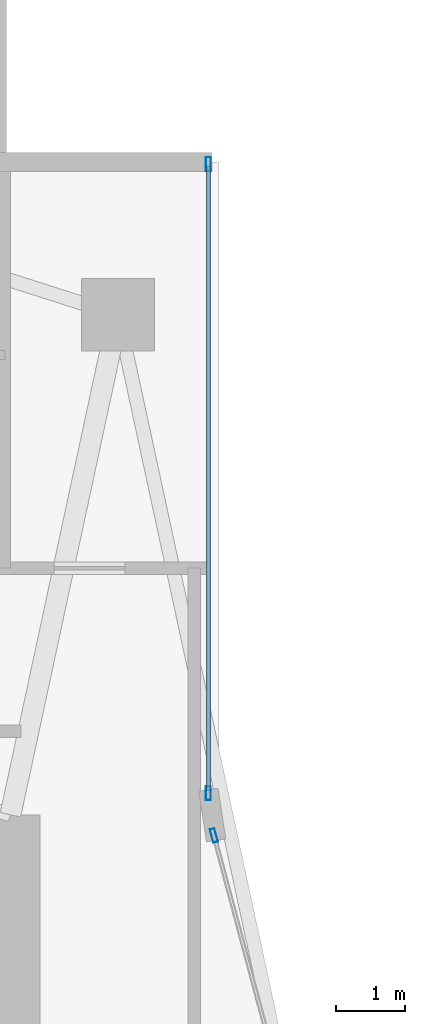
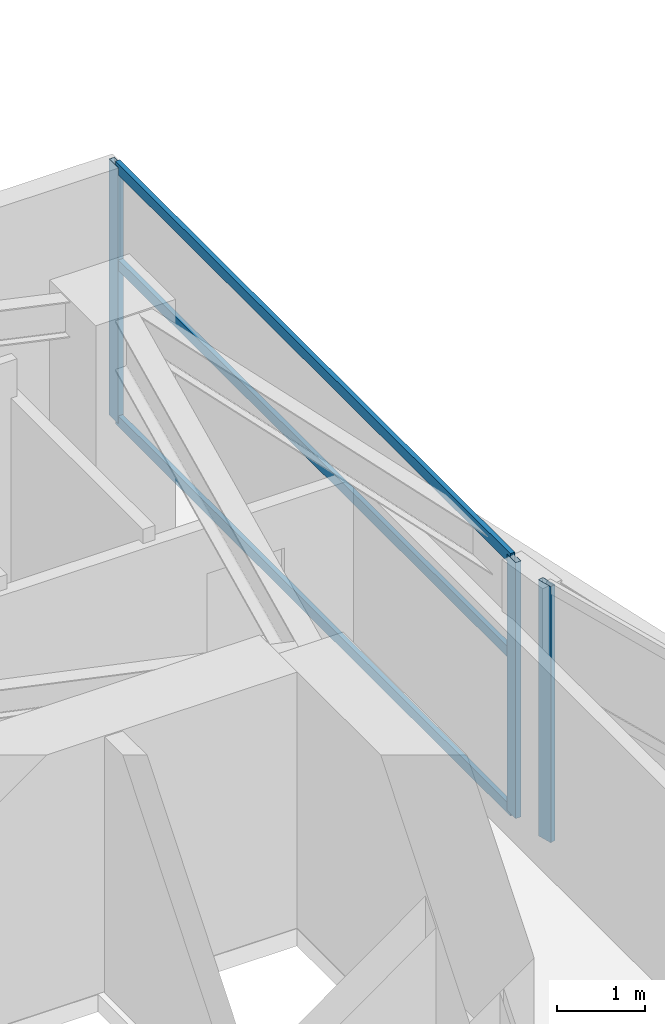
# One storey, part 18 of 28: 6 members, 2 elements without a shape of their own.
"""IFC4 building model written with IfcOpenShell, lengths in metres."""

import ifcopenshell
import ifcopenshell.guid

model = None  # the IFC model being written
_history = None  # IfcOwnerHistory: only IFC2X3 demands one
_inside = {}  # id of a spatial element -> (the spatial element, [elements in it])
_under = {}  # id of a project, library or spatial element -> (it, [spatial elements below it])
_declared = {}  # id of a project -> (the project, [libraries it declares])
_typed = {}  # id of a type object -> (the type object, [elements of that type])
_made_of = {}  # id of a material, layer set ... -> (it, [elements and type objects made of it])


def new_model(schema):
    """Start an empty IFC model of exactly this schema.

    Asked for "IFC4X3", IfcOpenShell would pick the latest addendum, in which some entities
    have other attributes; the version numbers below select the first issue.
    IFC2X3 requires an IfcOwnerHistory on every rooted entity: one is made here for all.
    """
    global model, _history
    if schema == "IFC4X3":
        model = ifcopenshell.file(schema_version=(4, 3, 0, 0))
    else:
        model = ifcopenshell.file(schema=schema)
    _inside.clear()
    _under.clear()
    _declared.clear()
    _typed.clear()
    _made_of.clear()
    _history = None
    if model.schema == "IFC2X3":
        org = make("IfcOrganization", Name="unknown")
        user = make(
            "IfcPersonAndOrganization",
            ThePerson=make("IfcPerson", FamilyName="unknown"),
            TheOrganization=org,
        )
        app = make(
            "IfcApplication",
            ApplicationDeveloper=org,
            Version="unknown",
            ApplicationFullName="unknown",
            ApplicationIdentifier="unknown",
        )
        _history = make(
            "IfcOwnerHistory",
            OwningUser=user,
            OwningApplication=app,
            ChangeAction="ADDED",
            CreationDate=0,
        )
    return model


def make(cls, **values):
    """One entity of the class cls with the attributes given. An attribute that is None is left unset."""
    return model.create_entity(
        cls, **{name: value for name, value in values.items() if value is not None}
    )


def rooted(cls, **values):
    """An entity with a GlobalId (a new one), such as an element, a storey or a relation."""
    return make(cls, GlobalId=ifcopenshell.guid.new(), OwnerHistory=_history, **values)


def si_unit(unit_type, name, prefix=None):
    """IfcSIUnit, for example si_unit("LENGTHUNIT", "METRE", prefix="MILLI")."""
    return make("IfcSIUnit", UnitType=unit_type, Prefix=prefix, Name=name)


def assignment(units):
    """IfcUnitAssignment: the units of a project."""
    return None if units is None else make("IfcUnitAssignment", Units=units)


def point(xyz):
    """IfcCartesianPoint."""
    return None if xyz is None else make("IfcCartesianPoint", Coordinates=xyz)


def direction(xyz):
    """IfcDirection."""
    return None if xyz is None else make("IfcDirection", DirectionRatios=xyz)


def frame(location, z_axis=None, x_axis=None):
    """IfcAxis2Placement3D, a coordinate frame: its origin and axes. An axis left out is left unset."""
    return make(
        "IfcAxis2Placement3D",
        Location=point(location),
        Axis=direction(z_axis),
        RefDirection=direction(x_axis),
    )


def frame_2d(location, x_axis=None):
    """IfcAxis2Placement2D, a coordinate frame in the plane: its origin and x axis."""
    return make(
        "IfcAxis2Placement2D", Location=point(location), RefDirection=direction(x_axis)
    )


def origin():
    """The frame at (0, 0, 0) with its axes left unset."""
    return frame((0.0, 0.0, 0.0))


def origin_2d():
    """The frame at (0, 0) in the plane with its x axis left unset."""
    return frame_2d((0.0, 0.0))


def place(relative_to, where):
    """IfcLocalPlacement: puts the frame where relative to a parent placement (None: the world)."""
    return make(
        "IfcLocalPlacement", PlacementRelTo=relative_to, RelativePlacement=where
    )


def context(
    kind, dimensions, precision=None, world=None, true_north=None, identifier=None
):
    """IfcGeometricRepresentationContext, for example the 3D "Model" context."""
    return make(
        "IfcGeometricRepresentationContext",
        ContextIdentifier=identifier,
        ContextType=kind,
        CoordinateSpaceDimension=dimensions,
        Precision=precision,
        WorldCoordinateSystem=world,
        TrueNorth=true_north,
    )


def subcontext(parent, identifier, kind, view, scale=None):
    """IfcGeometricRepresentationSubContext, for example "Body" below "Model"."""
    return make(
        "IfcGeometricRepresentationSubContext",
        ContextIdentifier=identifier,
        ContextType=kind,
        ParentContext=parent,
        TargetScale=scale,
        TargetView=view,
    )


def project(units=None, contexts=None):
    """IfcProject with its units and contexts."""
    return rooted(
        "IfcProject",
        Name="project",
        RepresentationContexts=contexts,
        UnitsInContext=assignment(units),
    )


def spatial(cls, under=None, at=None, **own):
    """A site, building, storey or space (cls), placed at a placement, below another one or the project."""
    s = rooted(cls, ObjectPlacement=at, **own)
    if under is not None:
        _under.setdefault(under.id(), (under, []))[1].append(s)
    return s


def profile(cls, at=None, kind="AREA", **sizes):
    """A parametric profile (cls). Its sizes go by their IFC names, for example OverallWidth=200.0."""
    return make(cls, ProfileType=kind, Position=at, **sizes)


def hollow_rectangle(**sizes):
    """IfcRectangleHollowProfileDef."""
    return profile("IfcRectangleHollowProfileDef", **sizes)


def extrude(swept, where, along, depth):
    """IfcExtrudedAreaSolid: the profile swept, set in the frame where, extruded along a direction by depth."""
    return make(
        "IfcExtrudedAreaSolid",
        SweptArea=swept,
        Position=where,
        ExtrudedDirection=direction(along),
        Depth=depth,
    )


def shape(context_of_items, identifier, shape_type, items):
    """IfcShapeRepresentation: the items that make up one representation, for example the "Body"."""
    return make(
        "IfcShapeRepresentation",
        ContextOfItems=context_of_items,
        RepresentationIdentifier=identifier,
        RepresentationType=shape_type,
        Items=items,
    )


def material(Name=None, Category=None):
    """IfcMaterial."""
    return make("IfcMaterial", Name=Name, Category=Category)


def layer(
    of_material, thickness, ventilated=None, Name=None, Category=None, Priority=None
):
    """IfcMaterialLayer: one layer of a wall or slab, of a material (None: an air gap)."""
    return make(
        "IfcMaterialLayer",
        Material=of_material,
        LayerThickness=thickness,
        IsVentilated=ventilated,
        Name=Name,
        Category=Category,
        Priority=Priority,
    )


def layer_set(layers, Name=None):
    """IfcMaterialLayerSet."""
    return make("IfcMaterialLayerSet", MaterialLayers=layers, LayerSetName=Name)


def material_profile(
    of_material, cross_section, Name=None, Category=None, Priority=None
):
    """IfcMaterialProfile: a cross section and its material."""
    return make(
        "IfcMaterialProfile",
        Name=Name,
        Material=of_material,
        Profile=cross_section,
        Priority=Priority,
        Category=Category,
    )


def profile_set(profiles, Name=None, composite=None):
    """IfcMaterialProfileSet."""
    return make(
        "IfcMaterialProfileSet",
        Name=Name,
        MaterialProfiles=profiles,
        CompositeProfile=composite,
    )


def made_of(thing, what):
    """Note that an element or type object is made of a material, layer set ...; save() writes the relation."""
    if what is not None:
        _made_of.setdefault(what.id(), (what, []))[1].append(thing)
    return thing


def type_object(cls, material=None, **own):
    """A type object (cls), such as IfcWallType, which elements share."""
    return made_of(rooted(cls, **own), material)


def element(
    cls,
    number,
    at=None,
    inside=None,
    cuts=None,
    type_object=None,
    material=None,
    context=None,
    identifier="Body",
    shape_type=None,
    held_by="IfcProductDefinitionShape",
    body=None,
    shapes=None,
    **own,
):
    """One element of the class cls, such as IfcWall. Its Tag is "e" and its number.

    at: its placement. inside: the storey or other place that contains it. cuts: it is an
    opening in that element (IfcRelVoidsElement). A single representation is given by context,
    identifier, shape_type and body (its items); several are given by shapes. held_by: the class
    of the entity that holds the representations. save() writes the other relations.
    """
    e = rooted(cls, Tag="e%d" % number, ObjectPlacement=at, **own)
    if body is not None:
        shapes = [shape(context, identifier, shape_type, body)]
    if shapes is not None:
        e.Representation = make(held_by, Representations=shapes)
    if inside is not None:
        _inside.setdefault(inside.id(), (inside, []))[1].append(e)
    if cuts is not None:
        rooted(
            "IfcRelVoidsElement", RelatingBuildingElement=cuts, RelatedOpeningElement=e
        )
    if type_object is not None:
        _typed.setdefault(type_object.id(), (type_object, []))[1].append(e)
    return made_of(e, material)


def aggregate(whole, parts):
    """IfcRelAggregates: a whole, such as a stair, and the parts it consists of."""
    return rooted("IfcRelAggregates", RelatingObject=whole, RelatedObjects=parts)


def save(model, path):
    """Write the relations noted so far, then the file.

    IfcRelAggregates (storeys below a building ...), IfcRelContainedInSpatialStructure (elements
    in a storey), IfcRelDefinesByType, IfcRelAssociatesMaterial and IfcRelDeclares: one each for
    every whole, place, type object, material and project.
    """
    for whole, parts in _under.values():
        aggregate(whole, parts)
    for where, things in _inside.values():
        rooted(
            "IfcRelContainedInSpatialStructure",
            RelatedElements=things,
            RelatingStructure=where,
        )
    for kind, things in _typed.values():
        rooted("IfcRelDefinesByType", RelatedObjects=things, RelatingType=kind)
    for what, things in _made_of.values():
        rooted("IfcRelAssociatesMaterial", RelatedObjects=things, RelatingMaterial=what)
    for by, libraries in _declared.values():
        rooted("IfcRelDeclares", RelatingContext=by, RelatedDefinitions=libraries)
    model.write(path)


model = new_model("IFC4")

# Units and contexts
model_context = context("Model", 3, precision=1e-05, world=origin(), true_north=direction((0.0, 1.0)))
body_context = subcontext(model_context, "Body", "Model", "MODEL_VIEW")
ifc_project = project(units=[si_unit("LENGTHUNIT", "METRE"), si_unit("AREAUNIT", "SQUARE_METRE"), si_unit("VOLUMEUNIT", "CUBIC_METRE"), si_unit("PLANEANGLEUNIT", "RADIAN"), si_unit("MASSUNIT", "GRAM", prefix="KILO")], contexts=[model_context])

# Site, building, storey
site_placement = place(None, origin())
site = spatial("IfcSite", under=ifc_project, at=site_placement, CompositionType="ELEMENT")
building_placement = place(site_placement, origin())
building = spatial("IfcBuilding", under=site, at=building_placement, Name="Calvorn Quay Hotel", CompositionType="ELEMENT")
storey_placement = place(building_placement, frame((0.0, 0.0, 131.60009765625)))
storey = spatial("IfcBuildingStorey", under=building, at=storey_placement, Name="L32", CompositionType="ELEMENT", Elevation=131.60009765625)

# Curtain wall, member
ifc_material_1 = material(Name="Pale Anodised Aluminium and Low-E Glass", Category="aluminium")
ifc_layer = layer(ifc_material_1, 0.219970703125)
ifc_layer_set = layer_set([ifc_layer], Name="CW-SYS-Z2")
curtain_wall_type = type_object("IfcCurtainWallType", Name="CW-SYS-Z2", PredefinedType="NOTDEFINED", material=ifc_layer_set)
curtain_wall_1_placement = place(storey_placement, origin())
curtain_wall_1 = element("IfcCurtainWall", 1, at=curtain_wall_1_placement, inside=storey, type_object=curtain_wall_type, Name="Inner Court Curtain Wall L32-IC1", PredefinedType="NOTDEFINED")
ifc_material_2 = material(Name="Pale Anodised Aluminium 6063-T6", Category="aluminium")
ifc_material_profile_1 = material_profile(ifc_material_2, hollow_rectangle(XDim=0.070068359375, YDim=0.199951171875, WallThickness=0.00390625, at=origin_2d()), Name="ALU-M200x70x4")
ifc_profile_set_1 = profile_set([ifc_material_profile_1], Name="Pale Anodised Aluminium 6063-T6")
member_type_1 = type_object("IfcMemberType", Name="CW-SYS-Z2-MUL", PredefinedType="MULLION", material=ifc_profile_set_1)
member_1_placement = place(storey_placement, frame((17.9296875, 38.10107421875, 0.0), z_axis=(0.0, 0.0, 1.0), x_axis=(-0.96593652056, -0.25877913024, 0.0)))
member_1 = element("IfcMember", 2, at=member_1_placement, type_object=member_type_1, Name="CW-L32-IC1 mullion 2", PredefinedType="MULLION", context=body_context, shape_type="SweptSolid", body=[
    extrude(hollow_rectangle(XDim=0.070068359375, YDim=0.199951171875, WallThickness=0.00390625, at=origin_2d()), origin(), (0.0, 0.0, 1.0), 3.559814453125),
])
aggregate(curtain_wall_1, [member_1])

# Curtain wall, members
curtain_wall_2_placement = place(storey_placement, origin())
curtain_wall_2 = element("IfcCurtainWall", 3, at=curtain_wall_2_placement, inside=storey, type_object=curtain_wall_type, Name="Inner Court Curtain Wall L32-IC2", PredefinedType="NOTDEFINED")
member_2_placement = place(storey_placement, frame((17.85009765625, 38.7099609375, 0.0), z_axis=(0.0, 0.0, 1.0), x_axis=(-1.0, 0.0, 0.0)))
member_2 = element("IfcMember", 4, at=member_2_placement, type_object=member_type_1, Name="CW-L32-IC2 mullion 1", PredefinedType="MULLION", context=body_context, shape_type="SweptSolid", body=[
    extrude(hollow_rectangle(XDim=0.070068359375, YDim=0.199951171875, WallThickness=0.00390625, at=origin_2d()), origin(), (0.0, 0.0, 1.0), 3.559814453125),
])
member_3_placement = place(storey_placement, frame((17.85009765625, 47.77001953125, 0.0), z_axis=(0.0, 0.0, 1.0), x_axis=(-1.0, 0.0, 0.0)))
member_3 = element("IfcMember", 5, at=member_3_placement, type_object=member_type_1, Name="CW-L32-IC2 mullion 2", PredefinedType="MULLION", context=body_context, shape_type="SweptSolid", body=[
    extrude(hollow_rectangle(XDim=0.070068359375, YDim=0.199951171875, WallThickness=0.00390625, at=origin_2d()), origin(), (0.0, 0.0, 1.0), 3.559814453125),
])
ifc_material_3 = material(Name="Pale Anodised Aluminium 6063-T6", Category="aluminium")
ifc_material_profile_2 = material_profile(ifc_material_3, hollow_rectangle(XDim=0.06005859375, YDim=0.14990234375, WallThickness=0.00341796875, at=origin_2d()), Name="ALU-T150x60x3.5")
ifc_profile_set_2 = profile_set([ifc_material_profile_2], Name="Pale Anodised Aluminium 6063-T6")
member_type_2 = type_object("IfcMemberType", Name="CW-SYS-Z2-TRN", PredefinedType="USERDEFINED", material=ifc_profile_set_2)
member_4_placement = place(storey_placement, frame((17.85009765625, 38.739990234375, 0.02978515625), z_axis=(0.0, 1.0, 0.0), x_axis=(-1.0, 0.0, 0.0)))
member_4 = element("IfcMember", 6, at=member_4_placement, type_object=member_type_2, Name="CW-L32-IC2 transom 1.1", ObjectType="TRANSOM", PredefinedType="USERDEFINED", context=body_context, shape_type="SweptSolid", body=[
    extrude(hollow_rectangle(XDim=0.06005859375, YDim=0.14990234375, WallThickness=0.00341796875, at=origin_2d()), origin(), (0.0, 0.0, 1.0), 9.0),
])
member_5_placement = place(storey_placement, frame((17.85009765625, 38.739990234375, 2.199951171875), z_axis=(0.0, 1.0, 0.0), x_axis=(-1.0, 0.0, 0.0)))
member_5 = element("IfcMember", 7, at=member_5_placement, type_object=member_type_2, Name="CW-L32-IC2 transom 1.2", ObjectType="TRANSOM", PredefinedType="USERDEFINED", context=body_context, shape_type="SweptSolid", body=[
    extrude(hollow_rectangle(XDim=0.06005859375, YDim=0.14990234375, WallThickness=0.00341796875, at=origin_2d()), origin(), (0.0, 0.0, 1.0), 9.0),
])
member_6_placement = place(storey_placement, frame((17.85009765625, 38.739990234375, 3.52978515625), z_axis=(0.0, 1.0, 0.0), x_axis=(-1.0, 0.0, 0.0)))
member_6 = element("IfcMember", 8, at=member_6_placement, type_object=member_type_2, Name="CW-L32-IC2 transom 1.3", ObjectType="TRANSOM", PredefinedType="USERDEFINED", context=body_context, shape_type="SweptSolid", body=[
    extrude(hollow_rectangle(XDim=0.06005859375, YDim=0.14990234375, WallThickness=0.00341796875, at=origin_2d()), origin(), (0.0, 0.0, 1.0), 9.0),
])
aggregate(curtain_wall_2, [member_2, member_3, member_4, member_5, member_6])

save(model, "model.ifc")
